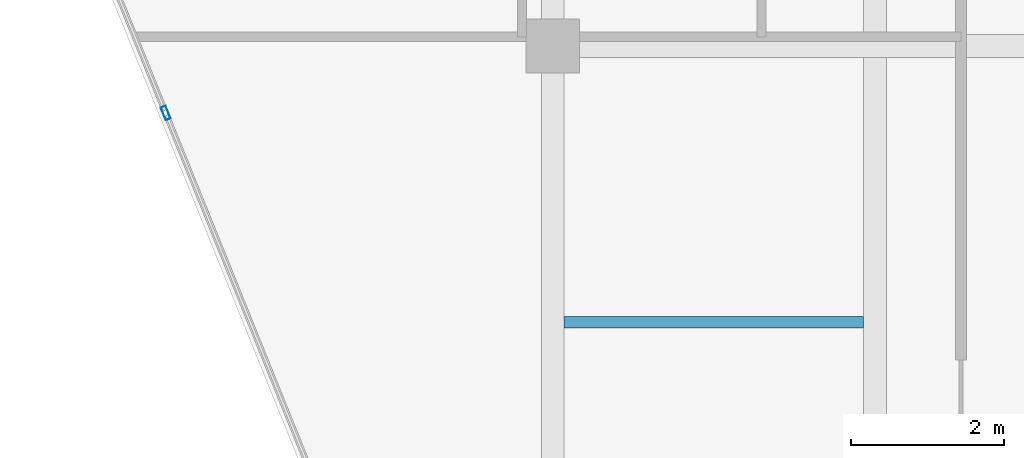
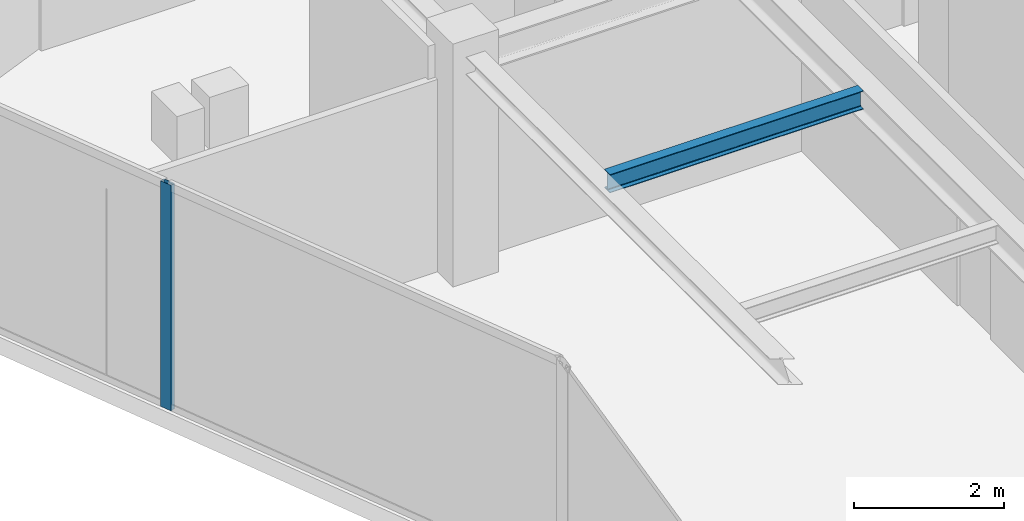
# One storey, part 5 of 21: 1 beam, 1 member, 1 element without a shape of its own.
"""IFC4 building model written with IfcOpenShell, lengths in metres."""

from ifc_helpers import new_model, si_unit, direction, frame, origin, origin_2d, place, context, subcontext, project, spatial, hollow_rectangle, i_section, extrude, source, transform, mapped, material, material_profile, profile_set, type_object, type_shapes, element, aggregate, save


model = new_model("IFC4")

# Units and contexts
model_context = context("Model", 3, precision=1e-05, world=origin(), true_north=direction((0.0, 1.0)))
body_context = subcontext(model_context, "Body", "Model", "MODEL_VIEW")
ifc_project = project(units=[si_unit("LENGTHUNIT", "METRE"), si_unit("AREAUNIT", "SQUARE_METRE"), si_unit("VOLUMEUNIT", "CUBIC_METRE"), si_unit("PLANEANGLEUNIT", "RADIAN"), si_unit("MASSUNIT", "GRAM", prefix="KILO")], contexts=[model_context])

# Site, building, storey
site_placement = place(None, origin())
site = spatial("IfcSite", under=ifc_project, at=site_placement, CompositionType="ELEMENT")
building_placement = place(site_placement, origin())
building = spatial("IfcBuilding", under=site, at=building_placement, Name="Krantzveldt Concourse Tower", CompositionType="ELEMENT")
storey_placement = place(building_placement, frame((0.0, 0.0, 323.75)))
storey = spatial("IfcBuildingStorey", under=building, at=storey_placement, Name="L79", CompositionType="ELEMENT", Elevation=323.75)

# Beam
ifc_material_1 = material(Name="Steel S355JR", Category="steel")
ifc_material_profile_1 = material_profile(ifc_material_1, i_section(OverallWidth=0.14990234375, OverallDepth=0.300048828125, WebThickness=0.007080078125, FlangeThickness=0.0107421875, FilletRadius=0.014892578125, at=origin_2d()), Name="Steel S355JR", Category="steel")
ifc_profile_set_1 = profile_set([ifc_material_profile_1], Name="Steel S355JR - IPE 300")
beam_type = type_object("IfcBeamType", Name="BM-J-IPE300", PredefinedType="JOIST", material=ifc_profile_set_1)
shared_shape_1 = source(origin(), body_context, "Body", "SweptSolid", [
    extrude(i_section(OverallWidth=0.14990234375, OverallDepth=0.300048828125, WebThickness=0.007080078125, FlangeThickness=0.0107421875, FilletRadius=0.014892578125, at=origin_2d()), origin(), (0.0, 0.0, 1.0), 3.900146484375),
])
type_shapes(beam_type, [shared_shape_1])
beam_placement = place(storey_placement, frame((21.14990234375, 23.10009765625, 3.52001953125), z_axis=(1.0, 0.0, 0.0), x_axis=(0.0, 1.0, 0.0)))
element("IfcBeam", 1, at=beam_placement, inside=storey, type_object=beam_type, Name="L79 Secondary Floor Joist JW-2", PredefinedType="JOIST", context=body_context, shape_type="MappedRepresentation", body=[
    mapped(shared_shape_1, transform((0.0, 0.0, 0.0), x_axis=(1.0, 0.0, 0.0), y_axis=(0.0, 1.0, 0.0), z_axis=(0.0, 0.0, 1.0), scale=1.0)),
])

# Curtain wall, member
ifc_material_2 = material(Name="Anodised aluminium 6063-T6", Category="aluminium")
curtain_wall_type = type_object("IfcCurtainWallType", Name="CW4", PredefinedType="USERDEFINED", material=ifc_material_2)
curtain_wall_placement = place(storey_placement, origin())
curtain_wall = element("IfcCurtainWall", 2, at=curtain_wall_placement, inside=storey, type_object=curtain_wall_type, Name="CW-L79-F04", ObjectType="UNITISED CURTAIN WALL", PredefinedType="USERDEFINED")
ifc_material_profile_2 = material_profile(ifc_material_2, hollow_rectangle(XDim=0.070068359375, YDim=0.179931640625, WallThickness=0.0048828125, at=origin_2d()), Name="Anodised aluminium 6063-T6", Category="aluminium")
ifc_profile_set_2 = profile_set([ifc_material_profile_2], Name="Anodised aluminium 6063-T6 - ALU-MULL 180x70x5")
member_type = type_object("IfcMemberType", Name="CW-MUL-180", PredefinedType="MULLION", material=ifc_profile_set_2)
shared_shape_2 = source(origin(), body_context, "Body", "SweptSolid", [
    extrude(hollow_rectangle(XDim=0.070068359375, YDim=0.179931640625, WallThickness=0.0048828125, at=origin_2d()), origin(), (0.0, 0.0, 1.0), 3.669921875),
])
type_shapes(member_type, [shared_shape_2])
member_placement = place(storey_placement, frame((15.95703125, 25.828369140625, 0.0), z_axis=(0.0, 0.0, 1.0), x_axis=(0.927183825969, 0.374606664198, 0.0)))
member = element("IfcMember", 3, at=member_placement, type_object=member_type, Name="CW-Z56 mullion 2", PredefinedType="MULLION", context=body_context, shape_type="MappedRepresentation", body=[
    mapped(shared_shape_2, transform((0.0, 0.0, 0.0), x_axis=(1.0, 0.0, 0.0), y_axis=(0.0, 1.0, 0.0), z_axis=(0.0, 0.0, 1.0), scale=1.0)),
])
aggregate(curtain_wall, [member])

save(model, "model.ifc")
